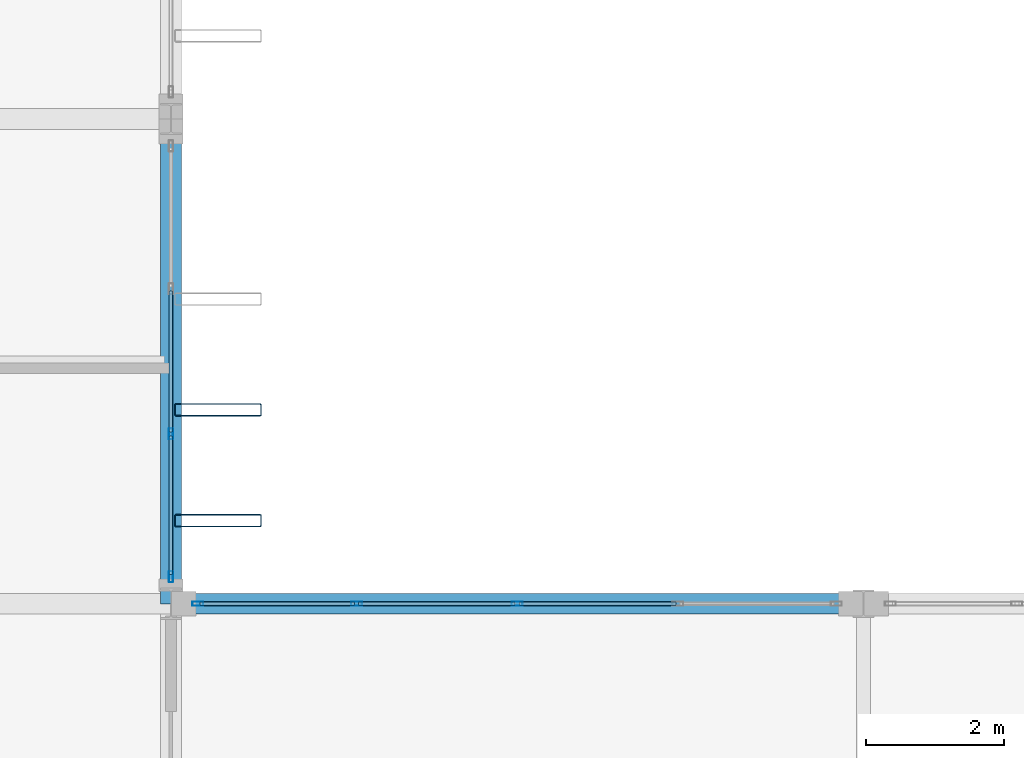
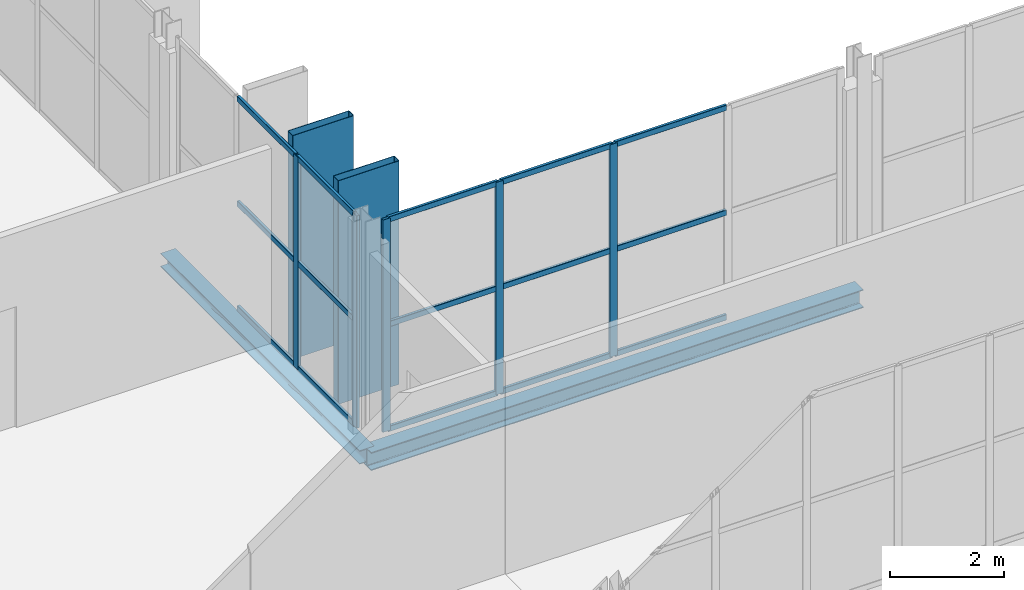
# One storey, part 48 of 120: 22 members, 2 beams, 2 elements without a shape of their own.
"""IFC4 building model written with IfcOpenShell, lengths in metres."""

from ifc_helpers import new_model, si_unit, direction, frame, origin, origin_2d, place, context, subcontext, project, spatial, hollow_rectangle, i_section, extrude, material, layer, layer_set, material_profile, profile_set, type_object, element, aggregate, save


model = new_model("IFC4")

# Units and contexts
model_context = context("Model", 3, precision=1e-05, world=origin(), true_north=direction((0.0, 1.0)))
body_context = subcontext(model_context, "Body", "Model", "MODEL_VIEW")
ifc_project = project(units=[si_unit("LENGTHUNIT", "METRE"), si_unit("AREAUNIT", "SQUARE_METRE"), si_unit("VOLUMEUNIT", "CUBIC_METRE"), si_unit("PLANEANGLEUNIT", "RADIAN"), si_unit("MASSUNIT", "GRAM", prefix="KILO")], contexts=[model_context])

# Site, building, storey
site_placement = place(None, origin())
site = spatial("IfcSite", under=ifc_project, at=site_placement, CompositionType="ELEMENT")
building_placement = place(site_placement, origin())
building = spatial("IfcBuilding", under=site, at=building_placement, Name="Vekula Escarpment Museum", CompositionType="ELEMENT")
storey_placement = place(building_placement, frame((0.0, 0.0, 13.199951171875)))
storey = spatial("IfcBuildingStorey", under=building, at=storey_placement, Name="L03", CompositionType="ELEMENT", Elevation=13.199951171875)

# Beams
ifc_material_1 = material(Name="Steel S355", Category="steel")
ifc_material_profile_1 = material_profile(ifc_material_1, i_section(OverallWidth=0.300048828125, OverallDepth=0.2900390625, WebThickness=0.008544921875, FlangeThickness=0.013916015625, FilletRadius=0.027099609375, at=origin_2d()), Name="HEA 300")
ifc_profile_set_1 = profile_set([ifc_material_profile_1], Name="Steel S355")
beam_type_1 = type_object("IfcBeamType", Name="BM-SPAN-HEA300", PredefinedType="SPANDREL", material=ifc_profile_set_1)
beam_1_placement = place(storey_placement, frame((126.0, 76.39990234375, -0.39501953125), z_axis=(0.0, 1.0, 0.0), x_axis=(-1.0, 0.0, 0.0)))
element("IfcBeam", 1, at=beam_1_placement, inside=storey, type_object=beam_type_1, Name="Beam Y L03 1629", PredefinedType="SPANDREL", context=body_context, shape_type="SweptSolid", body=[
    extrude(i_section(OverallWidth=0.300048828125, OverallDepth=0.2900390625, WebThickness=0.008544921875, FlangeThickness=0.013916015625, FilletRadius=0.027099609375, at=origin_2d()), origin(), (0.0, 0.0, 1.0), 7.0),
])
ifc_material_2 = material(Name="Steel S355", Category="steel")
ifc_material_profile_2 = material_profile(ifc_material_2, i_section(OverallWidth=0.300048828125, OverallDepth=0.389892578125, WebThickness=0.010986328125, FlangeThickness=0.01904296875, FilletRadius=0.027099609375, at=origin_2d()), Name="HEA 400")
ifc_profile_set_2 = profile_set([ifc_material_profile_2], Name="Steel S355")
beam_type_2 = type_object("IfcBeamType", Name="BM-SPAN-HEA400", PredefinedType="SPANDREL", material=ifc_profile_set_2)
beam_2_placement = place(storey_placement, frame((126.0, 76.39990234375, -0.445068359375), z_axis=(1.0, 0.0, 0.0), x_axis=(0.0, 1.0, 0.0)))
element("IfcBeam", 2, at=beam_2_placement, inside=storey, type_object=beam_type_2, Name="Beam X L03 1391", PredefinedType="SPANDREL", context=body_context, shape_type="SweptSolid", body=[
    extrude(i_section(OverallWidth=0.300048828125, OverallDepth=0.389892578125, WebThickness=0.010986328125, FlangeThickness=0.01904296875, FilletRadius=0.027099609375, at=origin_2d()), origin(), (0.0, 0.0, 1.0), 10.0),
])

# Curtain wall, members
ifc_material_3 = material(Name="Aluminium thermally broken framing", Category="aluminium")
ifc_layer_1 = layer(ifc_material_3, 0.169921875)
ifc_layer_set_1 = layer_set([ifc_layer_1], Name="Aluminium thermally broken framing")
curtain_wall_type_1 = type_object("IfcCurtainWallType", Name="CW-SYS-10", PredefinedType="NOTDEFINED", material=ifc_layer_set_1)
curtain_wall_1_placement = place(storey_placement, origin())
curtain_wall_1 = element("IfcCurtainWall", 3, at=curtain_wall_1_placement, inside=storey, type_object=curtain_wall_type_1, Name="Curtain Wall CW-L03-120", PredefinedType="NOTDEFINED")
ifc_material_4 = material(Name="Aluminium anodized mullion", Category="aluminium")
ifc_material_profile_3 = material_profile(ifc_material_4, hollow_rectangle(XDim=0.06005859375, YDim=0.159912109375, WallThickness=0.00390625, InnerFilletRadius=0.00390625, OuterFilletRadius=0.008056640625, at=origin_2d()), Name="ALU 160x60x4")
ifc_profile_set_3 = profile_set([ifc_material_profile_3], Name="Aluminium anodized mullion")
member_type_1 = type_object("IfcMemberType", Name="CW-MUL-160", PredefinedType="MULLION", material=ifc_profile_set_3)
member_1_placement = place(storey_placement, frame((131.0, 76.39990234375, 0.0), z_axis=(0.0, 0.0, 1.0), x_axis=(0.0, -1.0, 0.0)))
member_1 = element("IfcMember", 4, at=member_1_placement, type_object=member_type_1, Name="CW-10 mullion 3", PredefinedType="MULLION", context=body_context, shape_type="SweptSolid", body=[
    extrude(hollow_rectangle(XDim=0.06005859375, YDim=0.159912109375, WallThickness=0.00390625, InnerFilletRadius=0.00390625, OuterFilletRadius=0.008056640625, at=origin_2d()), origin(), (0.0, 0.0, 1.0), 4.56005859375),
])
member_2_placement = place(storey_placement, frame((128.679931640625, 76.39990234375, 0.0), z_axis=(0.0, 0.0, 1.0), x_axis=(0.0, -1.0, 0.0)))
member_2 = element("IfcMember", 5, at=member_2_placement, type_object=member_type_1, Name="CW-10 mullion 4", PredefinedType="MULLION", context=body_context, shape_type="SweptSolid", body=[
    extrude(hollow_rectangle(XDim=0.06005859375, YDim=0.159912109375, WallThickness=0.00390625, InnerFilletRadius=0.00390625, OuterFilletRadius=0.008056640625, at=origin_2d()), origin(), (0.0, 0.0, 1.0), 4.56005859375),
])
member_3_placement = place(storey_placement, frame((126.389892578125, 76.39990234375, 0.0), z_axis=(0.0, 0.0, 1.0), x_axis=(0.0, -1.0, 0.0)))
member_3 = element("IfcMember", 6, at=member_3_placement, type_object=member_type_1, Name="CW-10 mullion 5", PredefinedType="MULLION", context=body_context, shape_type="SweptSolid", body=[
    extrude(hollow_rectangle(XDim=0.06005859375, YDim=0.159912109375, WallThickness=0.00390625, InnerFilletRadius=0.00390625, OuterFilletRadius=0.008056640625, at=origin_2d()), origin(), (0.0, 0.0, 1.0), 4.56005859375),
])

ifc_material_5 = material(Name="Aluminium thermally broken framing", Category="aluminium")
ifc_layer_2 = layer(ifc_material_5, 0.159912109375)
ifc_layer_set_2 = layer_set([ifc_layer_2], Name="Aluminium thermally broken framing")
curtain_wall_type_2 = type_object("IfcCurtainWallType", Name="CW-SYS-01", PredefinedType="NOTDEFINED", material=ifc_layer_set_2)
curtain_wall_2_placement = place(storey_placement, origin())
curtain_wall_2 = element("IfcCurtainWall", 7, at=curtain_wall_2_placement, inside=storey, type_object=curtain_wall_type_2, Name="Curtain Wall CW-L03-121", PredefinedType="NOTDEFINED")
member_4_placement = place(storey_placement, frame((126.0, 76.7900390625, 0.0), z_axis=(0.0, 0.0, 1.0), x_axis=(-1.0, 0.0, 0.0)))
member_4 = element("IfcMember", 8, at=member_4_placement, type_object=member_type_1, Name="CW-01 mullion 1", PredefinedType="MULLION", context=body_context, shape_type="SweptSolid", body=[
    extrude(hollow_rectangle(XDim=0.06005859375, YDim=0.159912109375, WallThickness=0.00390625, InnerFilletRadius=0.00390625, OuterFilletRadius=0.008056640625, at=origin_2d()), origin(), (0.0, 0.0, 1.0), 4.56005859375),
])
member_5_placement = place(storey_placement, frame((126.0, 78.853271484375, 0.0), z_axis=(0.0, 0.0, 1.0), x_axis=(-1.0, 0.0, 0.0)))
member_5 = element("IfcMember", 9, at=member_5_placement, type_object=member_type_1, Name="CW-01 mullion 2", PredefinedType="MULLION", context=body_context, shape_type="SweptSolid", body=[
    extrude(hollow_rectangle(XDim=0.06005859375, YDim=0.159912109375, WallThickness=0.00390625, InnerFilletRadius=0.00390625, OuterFilletRadius=0.008056640625, at=origin_2d()), origin(), (0.0, 0.0, 1.0), 4.56005859375),
])

# Member
ifc_material_6 = material(Name="Aluminium anodized transom", Category="aluminium")
ifc_material_profile_4 = material_profile(ifc_material_6, hollow_rectangle(XDim=0.06005859375, YDim=0.1201171875, WallThickness=0.00390625, InnerFilletRadius=0.00390625, OuterFilletRadius=0.008056640625, at=origin_2d()), Name="ALU 120x60x4")
ifc_profile_set_4 = profile_set([ifc_material_profile_4], Name="Aluminium anodized transom")
member_type_2 = type_object("IfcMemberType", Name="CW-TRN-120", PredefinedType="USERDEFINED", material=ifc_profile_set_4)
member_6_placement = place(storey_placement, frame((133.2900390625, 76.39990234375, 0.030029296875), z_axis=(-1.0, 0.0, 0.0), x_axis=(0.0, -1.0, 0.0)))
member_6 = element("IfcMember", 10, at=member_6_placement, type_object=member_type_2, Name="CW-10 transom 2.1", ObjectType="TRANSOM", PredefinedType="USERDEFINED", context=body_context, shape_type="SweptSolid", body=[
    extrude(hollow_rectangle(XDim=0.06005859375, YDim=0.1201171875, WallThickness=0.00390625, InnerFilletRadius=0.00390625, OuterFilletRadius=0.008056640625, at=origin_2d()), origin(), (0.0, 0.0, 1.0), 2.260009765625),
])

member_7_placement = place(storey_placement, frame((133.2900390625, 76.39990234375, 2.280029296875), z_axis=(-1.0, 0.0, 0.0), x_axis=(0.0, -1.0, 0.0)))
member_7 = element("IfcMember", 11, at=member_7_placement, type_object=member_type_2, Name="CW-10 transom 2.2", ObjectType="TRANSOM", PredefinedType="USERDEFINED", context=body_context, shape_type="SweptSolid", body=[
    extrude(hollow_rectangle(XDim=0.06005859375, YDim=0.1201171875, WallThickness=0.00390625, InnerFilletRadius=0.00390625, OuterFilletRadius=0.008056640625, at=origin_2d()), origin(), (0.0, 0.0, 1.0), 2.260009765625),
])

member_8_placement = place(storey_placement, frame((133.2900390625, 76.39990234375, 4.530029296875), z_axis=(-1.0, 0.0, 0.0), x_axis=(0.0, -1.0, 0.0)))
member_8 = element("IfcMember", 12, at=member_8_placement, type_object=member_type_2, Name="CW-10 transom 2.3", ObjectType="TRANSOM", PredefinedType="USERDEFINED", context=body_context, shape_type="SweptSolid", body=[
    extrude(hollow_rectangle(XDim=0.06005859375, YDim=0.1201171875, WallThickness=0.00390625, InnerFilletRadius=0.00390625, OuterFilletRadius=0.008056640625, at=origin_2d()), origin(), (0.0, 0.0, 1.0), 2.260009765625),
])

member_9_placement = place(storey_placement, frame((130.969970703125, 76.39990234375, 0.030029296875), z_axis=(-1.0, 0.0, 0.0), x_axis=(0.0, -1.0, 0.0)))
member_9 = element("IfcMember", 13, at=member_9_placement, type_object=member_type_2, Name="CW-10 transom 3.1", ObjectType="TRANSOM", PredefinedType="USERDEFINED", context=body_context, shape_type="SweptSolid", body=[
    extrude(hollow_rectangle(XDim=0.06005859375, YDim=0.1201171875, WallThickness=0.00390625, InnerFilletRadius=0.00390625, OuterFilletRadius=0.008056640625, at=origin_2d()), origin(), (0.0, 0.0, 1.0), 2.260009765625),
])

member_10_placement = place(storey_placement, frame((130.969970703125, 76.39990234375, 2.280029296875), z_axis=(-1.0, 0.0, 0.0), x_axis=(0.0, -1.0, 0.0)))
member_10 = element("IfcMember", 14, at=member_10_placement, type_object=member_type_2, Name="CW-10 transom 3.2", ObjectType="TRANSOM", PredefinedType="USERDEFINED", context=body_context, shape_type="SweptSolid", body=[
    extrude(hollow_rectangle(XDim=0.06005859375, YDim=0.1201171875, WallThickness=0.00390625, InnerFilletRadius=0.00390625, OuterFilletRadius=0.008056640625, at=origin_2d()), origin(), (0.0, 0.0, 1.0), 2.260009765625),
])

member_11_placement = place(storey_placement, frame((130.969970703125, 76.39990234375, 4.530029296875), z_axis=(-1.0, 0.0, 0.0), x_axis=(0.0, -1.0, 0.0)))
member_11 = element("IfcMember", 15, at=member_11_placement, type_object=member_type_2, Name="CW-10 transom 3.3", ObjectType="TRANSOM", PredefinedType="USERDEFINED", context=body_context, shape_type="SweptSolid", body=[
    extrude(hollow_rectangle(XDim=0.06005859375, YDim=0.1201171875, WallThickness=0.00390625, InnerFilletRadius=0.00390625, OuterFilletRadius=0.008056640625, at=origin_2d()), origin(), (0.0, 0.0, 1.0), 2.260009765625),
])

member_12_placement = place(storey_placement, frame((128.64990234375, 76.39990234375, 0.030029296875), z_axis=(-1.0, 0.0, 0.0), x_axis=(0.0, -1.0, 0.0)))
member_12 = element("IfcMember", 16, at=member_12_placement, type_object=member_type_2, Name="CW-10 transom 4.1", ObjectType="TRANSOM", PredefinedType="USERDEFINED", context=body_context, shape_type="SweptSolid", body=[
    extrude(hollow_rectangle(XDim=0.06005859375, YDim=0.1201171875, WallThickness=0.00390625, InnerFilletRadius=0.00390625, OuterFilletRadius=0.008056640625, at=origin_2d()), origin(), (0.0, 0.0, 1.0), 2.22998046875),
])

member_13_placement = place(storey_placement, frame((128.64990234375, 76.39990234375, 2.280029296875), z_axis=(-1.0, 0.0, 0.0), x_axis=(0.0, -1.0, 0.0)))
member_13 = element("IfcMember", 17, at=member_13_placement, type_object=member_type_2, Name="CW-10 transom 4.2", ObjectType="TRANSOM", PredefinedType="USERDEFINED", context=body_context, shape_type="SweptSolid", body=[
    extrude(hollow_rectangle(XDim=0.06005859375, YDim=0.1201171875, WallThickness=0.00390625, InnerFilletRadius=0.00390625, OuterFilletRadius=0.008056640625, at=origin_2d()), origin(), (0.0, 0.0, 1.0), 2.22998046875),
])

member_14_placement = place(storey_placement, frame((128.64990234375, 76.39990234375, 4.530029296875), z_axis=(-1.0, 0.0, 0.0), x_axis=(0.0, -1.0, 0.0)))
member_14 = element("IfcMember", 18, at=member_14_placement, type_object=member_type_2, Name="CW-10 transom 4.3", ObjectType="TRANSOM", PredefinedType="USERDEFINED", context=body_context, shape_type="SweptSolid", body=[
    extrude(hollow_rectangle(XDim=0.06005859375, YDim=0.1201171875, WallThickness=0.00390625, InnerFilletRadius=0.00390625, OuterFilletRadius=0.008056640625, at=origin_2d()), origin(), (0.0, 0.0, 1.0), 2.22998046875),
])

aggregate(curtain_wall_1, [member_1, member_2, member_3, member_6, member_7, member_8, member_9, member_10, member_11, member_12, member_13, member_14])

member_15_placement = place(storey_placement, frame((126.0, 76.820068359375, 0.030029296875), z_axis=(0.0, 1.0, 0.0), x_axis=(-1.0, 0.0, 0.0)))
member_15 = element("IfcMember", 19, at=member_15_placement, type_object=member_type_2, Name="CW-01 transom 1.1", ObjectType="TRANSOM", PredefinedType="USERDEFINED", context=body_context, shape_type="SweptSolid", body=[
    extrude(hollow_rectangle(XDim=0.06005859375, YDim=0.1201171875, WallThickness=0.00390625, InnerFilletRadius=0.00390625, OuterFilletRadius=0.008056640625, at=origin_2d()), origin(), (0.0, 0.0, 1.0), 2.003173828125),
])

member_16_placement = place(storey_placement, frame((126.0, 76.820068359375, 2.280029296875), z_axis=(0.0, 1.0, 0.0), x_axis=(-1.0, 0.0, 0.0)))
member_16 = element("IfcMember", 20, at=member_16_placement, type_object=member_type_2, Name="CW-01 transom 1.2", ObjectType="TRANSOM", PredefinedType="USERDEFINED", context=body_context, shape_type="SweptSolid", body=[
    extrude(hollow_rectangle(XDim=0.06005859375, YDim=0.1201171875, WallThickness=0.00390625, InnerFilletRadius=0.00390625, OuterFilletRadius=0.008056640625, at=origin_2d()), origin(), (0.0, 0.0, 1.0), 2.003173828125),
])

member_17_placement = place(storey_placement, frame((126.0, 76.820068359375, 4.530029296875), z_axis=(0.0, 1.0, 0.0), x_axis=(-1.0, 0.0, 0.0)))
member_17 = element("IfcMember", 21, at=member_17_placement, type_object=member_type_2, Name="CW-01 transom 1.3", ObjectType="TRANSOM", PredefinedType="USERDEFINED", context=body_context, shape_type="SweptSolid", body=[
    extrude(hollow_rectangle(XDim=0.06005859375, YDim=0.1201171875, WallThickness=0.00390625, InnerFilletRadius=0.00390625, OuterFilletRadius=0.008056640625, at=origin_2d()), origin(), (0.0, 0.0, 1.0), 2.003173828125),
])

member_18_placement = place(storey_placement, frame((126.0, 78.88330078125, 0.030029296875), z_axis=(0.0, 1.0, 0.0), x_axis=(-1.0, 0.0, 0.0)))
member_18 = element("IfcMember", 22, at=member_18_placement, type_object=member_type_2, Name="CW-01 transom 2.1", ObjectType="TRANSOM", PredefinedType="USERDEFINED", context=body_context, shape_type="SweptSolid", body=[
    extrude(hollow_rectangle(XDim=0.06005859375, YDim=0.1201171875, WallThickness=0.00390625, InnerFilletRadius=0.00390625, OuterFilletRadius=0.008056640625, at=origin_2d()), origin(), (0.0, 0.0, 1.0), 2.033447265625),
])

member_19_placement = place(storey_placement, frame((126.0, 78.88330078125, 2.280029296875), z_axis=(0.0, 1.0, 0.0), x_axis=(-1.0, 0.0, 0.0)))
member_19 = element("IfcMember", 23, at=member_19_placement, type_object=member_type_2, Name="CW-01 transom 2.2", ObjectType="TRANSOM", PredefinedType="USERDEFINED", context=body_context, shape_type="SweptSolid", body=[
    extrude(hollow_rectangle(XDim=0.06005859375, YDim=0.1201171875, WallThickness=0.00390625, InnerFilletRadius=0.00390625, OuterFilletRadius=0.008056640625, at=origin_2d()), origin(), (0.0, 0.0, 1.0), 2.033447265625),
])

member_20_placement = place(storey_placement, frame((126.0, 78.88330078125, 4.530029296875), z_axis=(0.0, 1.0, 0.0), x_axis=(-1.0, 0.0, 0.0)))
member_20 = element("IfcMember", 24, at=member_20_placement, type_object=member_type_2, Name="CW-01 transom 2.3", ObjectType="TRANSOM", PredefinedType="USERDEFINED", context=body_context, shape_type="SweptSolid", body=[
    extrude(hollow_rectangle(XDim=0.06005859375, YDim=0.1201171875, WallThickness=0.00390625, InnerFilletRadius=0.00390625, OuterFilletRadius=0.008056640625, at=origin_2d()), origin(), (0.0, 0.0, 1.0), 2.033447265625),
])

aggregate(curtain_wall_2, [member_4, member_5, member_15, member_16, member_17, member_18, member_19, member_20])

# Members
ifc_material_7 = material(Name="Steel S355 weathered bronze solar fin", Category="steel")
ifc_material_profile_5 = material_profile(ifc_material_7, hollow_rectangle(XDim=0.179931640625, YDim=1.25, WallThickness=0.010009765625, InnerFilletRadius=0.010009765625, OuterFilletRadius=0.02001953125, at=origin_2d()), Name="RHS 1250x180x10")
ifc_profile_set_5 = profile_set([ifc_material_profile_5], Name="Steel S355 weathered bronze solar fin")
member_type_3 = type_object("IfcMemberType", Name="MB-SOLAR-FIN", PredefinedType="USERDEFINED", material=ifc_profile_set_5)
for number, where, z_axis, x_axis, name in (
    (25, (126.679931640625, 77.60009765625, 0.0), (0.0, 0.0, 1.0), (0.0, 1.0, 0.0), "Great Hall Vertical Solar Fin 0388"),
    (26, (126.679931640625, 79.199951171875, 0.0), (0.0, 0.0, 1.0), (0.0, 1.0, 0.0), "Great Hall Vertical Solar Fin 0393"),
):
    element("IfcMember", number, at=place(storey_placement, frame(where, z_axis=z_axis, x_axis=x_axis)), inside=storey, type_object=member_type_3, Name=name, ObjectType="SOLAR FIN", PredefinedType="USERDEFINED", context=body_context, shape_type="SweptSolid", body=[
        extrude(hollow_rectangle(XDim=0.179931640625, YDim=1.25, WallThickness=0.010009765625, InnerFilletRadius=0.010009765625, OuterFilletRadius=0.02001953125, at=origin_2d()), origin(), (0.0, 0.0, 1.0), 4.800048828125),
    ])

save(model, "model.ifc")
